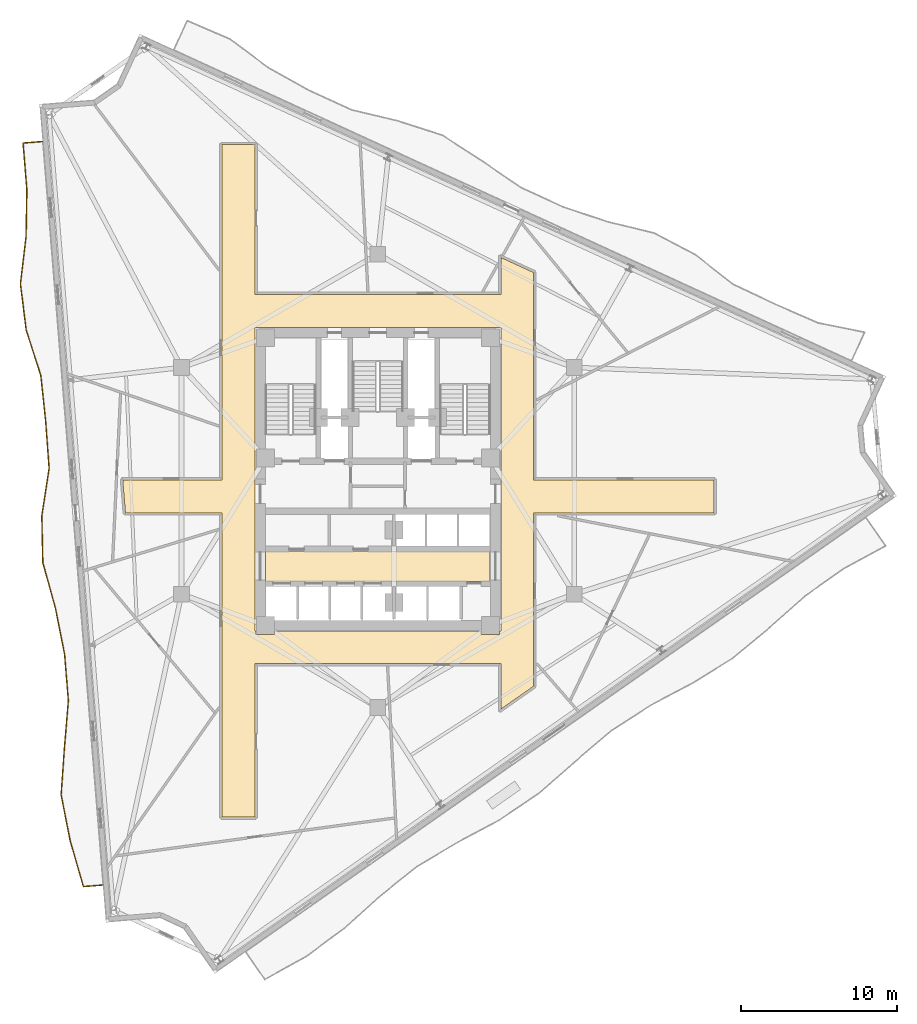
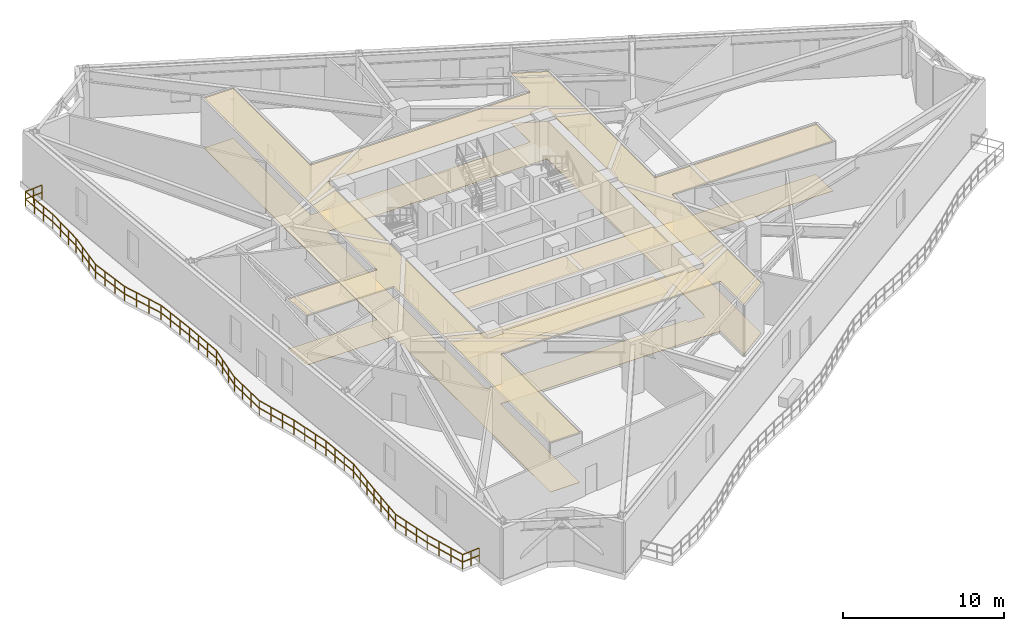
# One storey, part 11 of 14: 4 coverings, 1 railing.
"""IFC4 building model written with IfcOpenShell, lengths in metres."""

from ifc_helpers import new_model, si_unit, direction, frame, origin, origin_2d, place, context, subcontext, project, spatial, polyline, rectangle, outline, extrude, material, layer, layer_set, type_object, element, save


model = new_model("IFC4")

# Units and contexts
model_context = context("Model", 3, precision=1e-05, world=origin(), true_north=direction((0.0, 1.0)))
body_context = subcontext(model_context, "Body", "Model", "MODEL_VIEW")
ifc_project = project(units=[si_unit("LENGTHUNIT", "METRE"), si_unit("AREAUNIT", "SQUARE_METRE"), si_unit("VOLUMEUNIT", "CUBIC_METRE"), si_unit("PLANEANGLEUNIT", "RADIAN"), si_unit("MASSUNIT", "GRAM", prefix="KILO")], contexts=[model_context])

# Site, building, storey
site_placement = place(None, origin())
site = spatial("IfcSite", under=ifc_project, at=site_placement, CompositionType="ELEMENT")
building_placement = place(site_placement, origin())
building = spatial("IfcBuilding", under=site, at=building_placement, Name="Apsidion Concourse Tower", CompositionType="ELEMENT")
storey_placement = place(building_placement, frame((0.0, 0.0, 194.199951171875)))
storey = spatial("IfcBuildingStorey", under=building, at=storey_placement, Name="L45", CompositionType="ELEMENT", Elevation=194.199951171875)

# Coverings
ifc_material_1 = material(Name="Acoustic mineral fibre ceiling")
ifc_layer_1 = layer(ifc_material_1, 0.0400390625)
ifc_layer_set_1 = layer_set([ifc_layer_1], Name="Acoustic mineral fibre ceiling")
covering_type_1 = type_object("IfcCoveringType", Name="COV-CEIL-40", PredefinedType="CEILING", material=ifc_layer_set_1)
covering_1_placement = place(storey_placement, frame((0.0, 0.0, 3.75)))
element("IfcCovering", 1, at=covering_1_placement, inside=storey, type_object=covering_type_1, Name="L45 Acoustic Ceiling Grid 1", PredefinedType="CEILING", context=body_context, shape_type="SweptSolid", body=[
    extrude(outline(polyline([(-7.179931640625, -6.449951171875), (-7.179931640625, -4.47998046875), (7.179931640625, -4.47998046875), (7.179931640625, -6.449951171875), (-7.179931640625, -6.449951171875)])), origin(), (0.0, 0.0, 1.0), 0.0400390625),
])
covering_2_placement = place(storey_placement, frame((0.0, 0.0, 3.75)))
element("IfcCovering", 2, at=covering_2_placement, inside=storey, type_object=covering_type_1, Name="L45 Acoustic Ceiling Grid 2", PredefinedType="CEILING", context=body_context, shape_type="SweptSolid", body=[
    extrude(outline(polyline([(9.969970703125, -13.1357421875), (7.8701171875, -14.606201171875), (7.8701171875, -11.695068359375), (-7.8701171875, -11.695068359375), (-7.8701171875, -21.5), (-9.969970703125, -21.5), (-9.969970703125, -11.695068359375), (-9.969970703125, -2.050048828125), (-16.150634765625, -2.050048828125), (-16.3212890625, 0.050048828125), (-9.969970703125, 0.050048828125), (-9.969970703125, 11.919921875), (-9.969970703125, 21.5), (-7.8701171875, 21.5), (-7.8701171875, 11.919921875), (7.8701171875, 11.919921875), (7.8701171875, 14.282958984375), (9.969970703125, 13.319580078125), (9.969970703125, 11.919921875), (9.969970703125, 0.050048828125), (21.5, 0.050048828125), (21.5, -2.050048828125), (9.969970703125, -2.050048828125), (9.969970703125, -11.695068359375), (9.969970703125, -13.1357421875)]), holes=[polyline([(7.8701171875, -2.050048828125), (7.8701171875, 0.050048828125), (7.8701171875, 9.820068359375), (-7.8701171875, 9.820068359375), (-7.8701171875, 0.050048828125), (-7.8701171875, -2.050048828125), (-7.8701171875, -9.594970703125), (-7.794921875, -9.594970703125), (-7.794921875, -9.824951171875), (-7.794921875, -9.826904296875), (-7.794677734375, -9.828857421875), (-7.794189453125, -9.830810546875), (-7.79345703125, -9.832763671875), (-7.79248046875, -9.83447265625), (-7.79150390625, -9.836181640625), (-7.79052734375, -9.837646484375), (-7.7890625, -9.839111328125), (-7.78759765625, -9.840576171875), (-7.7861328125, -9.841552734375), (-7.784423828125, -9.842529296875), (-7.78271484375, -9.843505859375), (-7.78076171875, -9.843994140625), (-7.77880859375, -9.844482421875), (-7.777099609375, -9.844970703125), (-7.77490234375, -9.844970703125), (-6.625, -9.844970703125), (-6.623046875, -9.844970703125), (-6.62109375, -9.844482421875), (-6.619140625, -9.843994140625), (-6.6171875, -9.843505859375), (-6.615478515625, -9.842529296875), (-6.614013671875, -9.841552734375), (-6.6123046875, -9.840576171875), (-6.61083984375, -9.839111328125), (-6.609619140625, -9.837646484375), (-6.6083984375, -9.836181640625), (-6.607421875, -9.83447265625), (-6.6064453125, -9.832763671875), (-6.60595703125, -9.830810546875), (-6.60546875, -9.828857421875), (-6.60498046875, -9.826904296875), (-6.60498046875, -9.824951171875), (-6.60498046875, -9.594970703125), (6.60498046875, -9.594970703125), (6.60498046875, -9.824951171875), (6.60498046875, -9.826904296875), (6.60546875, -9.828857421875), (6.60595703125, -9.830810546875), (6.6064453125, -9.832763671875), (6.607421875, -9.83447265625), (6.6083984375, -9.836181640625), (6.609619140625, -9.837646484375), (6.61083984375, -9.839111328125), (6.6123046875, -9.840576171875), (6.614013671875, -9.841552734375), (6.615478515625, -9.842529296875), (6.6171875, -9.843505859375), (6.619140625, -9.843994140625), (6.62109375, -9.844482421875), (6.623046875, -9.844970703125), (6.625, -9.844970703125), (7.77490234375, -9.844970703125), (7.777099609375, -9.844970703125), (7.77880859375, -9.844482421875), (7.78076171875, -9.843994140625), (7.78271484375, -9.843505859375), (7.784423828125, -9.842529296875), (7.7861328125, -9.841552734375), (7.78759765625, -9.840576171875), (7.7890625, -9.839111328125), (7.79052734375, -9.837646484375), (7.79150390625, -9.836181640625), (7.79248046875, -9.83447265625), (7.79345703125, -9.832763671875), (7.794189453125, -9.830810546875), (7.794677734375, -9.828857421875), (7.794921875, -9.826904296875), (7.794921875, -9.824951171875), (7.794921875, -9.594970703125), (7.8701171875, -9.594970703125), (7.8701171875, -2.050048828125)])]), origin(), (0.0, 0.0, 1.0), 0.0400390625),
])
ifc_material_2 = material(Name="Honed travertine floor finish", Category="masonry")
ifc_layer_2 = layer(ifc_material_2, 0.02001953125)
ifc_layer_set_2 = layer_set([ifc_layer_2], Name="Honed travertine floor finish")
covering_type_2 = type_object("IfcCoveringType", Name="COV-FLOR-20", PredefinedType="FLOORING", material=ifc_layer_set_2)
covering_3_placement = place(storey_placement, origin())
element("IfcCovering", 3, at=covering_3_placement, inside=storey, type_object=covering_type_2, Name="L45 Honed Travertine Floor Finish 1", PredefinedType="FLOORING", context=body_context, shape_type="SweptSolid", body=[
    extrude(outline(polyline([(-7.179931640625, -6.449951171875), (-7.179931640625, -4.47998046875), (7.179931640625, -4.47998046875), (7.179931640625, -6.449951171875), (-7.179931640625, -6.449951171875)])), origin(), (0.0, 0.0, 1.0), 0.02001953125),
])
covering_4_placement = place(storey_placement, origin())
element("IfcCovering", 4, at=covering_4_placement, inside=storey, type_object=covering_type_2, Name="L45 Honed Travertine Floor Finish 2", PredefinedType="FLOORING", context=body_context, shape_type="SweptSolid", body=[
    extrude(outline(polyline([(9.969970703125, -13.1357421875), (7.8701171875, -14.606201171875), (7.8701171875, -11.695068359375), (-7.8701171875, -11.695068359375), (-7.8701171875, -21.5), (-9.969970703125, -21.5), (-9.969970703125, -11.695068359375), (-9.969970703125, -2.050048828125), (-16.150634765625, -2.050048828125), (-16.3212890625, 0.050048828125), (-9.969970703125, 0.050048828125), (-9.969970703125, 11.919921875), (-9.969970703125, 21.5), (-7.8701171875, 21.5), (-7.8701171875, 11.919921875), (7.8701171875, 11.919921875), (7.8701171875, 14.282958984375), (9.969970703125, 13.319580078125), (9.969970703125, 11.919921875), (9.969970703125, 0.050048828125), (21.5, 0.050048828125), (21.5, -2.050048828125), (9.969970703125, -2.050048828125), (9.969970703125, -11.695068359375), (9.969970703125, -13.1357421875)]), holes=[polyline([(7.8701171875, -2.050048828125), (7.8701171875, 0.050048828125), (7.8701171875, 9.820068359375), (-7.8701171875, 9.820068359375), (-7.8701171875, 0.050048828125), (-7.8701171875, -2.050048828125), (-7.8701171875, -9.594970703125), (-7.794921875, -9.594970703125), (-7.794921875, -9.824951171875), (-7.794921875, -9.826904296875), (-7.794677734375, -9.828857421875), (-7.794189453125, -9.830810546875), (-7.79345703125, -9.832763671875), (-7.79248046875, -9.83447265625), (-7.79150390625, -9.836181640625), (-7.79052734375, -9.837646484375), (-7.7890625, -9.839111328125), (-7.78759765625, -9.840576171875), (-7.7861328125, -9.841552734375), (-7.784423828125, -9.842529296875), (-7.78271484375, -9.843505859375), (-7.78076171875, -9.843994140625), (-7.77880859375, -9.844482421875), (-7.777099609375, -9.844970703125), (-7.77490234375, -9.844970703125), (-6.625, -9.844970703125), (-6.623046875, -9.844970703125), (-6.62109375, -9.844482421875), (-6.619140625, -9.843994140625), (-6.6171875, -9.843505859375), (-6.615478515625, -9.842529296875), (-6.614013671875, -9.841552734375), (-6.6123046875, -9.840576171875), (-6.61083984375, -9.839111328125), (-6.609619140625, -9.837646484375), (-6.6083984375, -9.836181640625), (-6.607421875, -9.83447265625), (-6.6064453125, -9.832763671875), (-6.60595703125, -9.830810546875), (-6.60546875, -9.828857421875), (-6.60498046875, -9.826904296875), (-6.60498046875, -9.824951171875), (-6.60498046875, -9.594970703125), (6.60498046875, -9.594970703125), (6.60498046875, -9.824951171875), (6.60498046875, -9.826904296875), (6.60546875, -9.828857421875), (6.60595703125, -9.830810546875), (6.6064453125, -9.832763671875), (6.607421875, -9.83447265625), (6.6083984375, -9.836181640625), (6.609619140625, -9.837646484375), (6.61083984375, -9.839111328125), (6.6123046875, -9.840576171875), (6.614013671875, -9.841552734375), (6.615478515625, -9.842529296875), (6.6171875, -9.843505859375), (6.619140625, -9.843994140625), (6.62109375, -9.844482421875), (6.623046875, -9.844970703125), (6.625, -9.844970703125), (7.77490234375, -9.844970703125), (7.777099609375, -9.844970703125), (7.77880859375, -9.844482421875), (7.78076171875, -9.843994140625), (7.78271484375, -9.843505859375), (7.784423828125, -9.842529296875), (7.7861328125, -9.841552734375), (7.78759765625, -9.840576171875), (7.7890625, -9.839111328125), (7.79052734375, -9.837646484375), (7.79150390625, -9.836181640625), (7.79248046875, -9.83447265625), (7.79345703125, -9.832763671875), (7.794189453125, -9.830810546875), (7.794677734375, -9.828857421875), (7.794921875, -9.826904296875), (7.794921875, -9.824951171875), (7.794921875, -9.594970703125), (7.8701171875, -9.594970703125), (7.8701171875, -2.050048828125)])]), origin(), (0.0, 0.0, 1.0), 0.02001953125),
])

# Railing
ifc_material_3 = material(Name="Brushed stainless steel 316", Category="steel")
railing_type = type_object("IfcRailingType", Name="RL-BAL-1120", PredefinedType="BALUSTRADE", material=ifc_material_3)
railing_placement = place(storey_placement, frame((-17.59326171875, -25.86328125, 0.0)))
element("IfcRailing", 5, at=railing_placement, inside=storey, type_object=railing_type, Name="L45 Face 1 Rippling Balcony Balustrade", PredefinedType="BALUSTRADE", context=body_context, shape_type="SweptSolid", body=[
    extrude(rectangle(XDim=0.048095703125, YDim=0.048095703125, at=origin_2d()), frame((0.0, 0.0, 1.09619140625), z_axis=(-0.996725219945, -0.08086306899, 0.0), x_axis=(0.08086306899, -0.996725219945, 0.0)), (0.0, 0.0, 1.0), 1.25),
    extrude(rectangle(XDim=0.048095703125, YDim=0.048095703125, at=origin_2d()), frame((0.0, 0.0, 0.5361328125), z_axis=(-0.996725219945, -0.08086306899, 0.0), x_axis=(0.08086306899, -0.996725219945, 0.0)), (0.0, 0.0, 1.0), 1.25),
    extrude(rectangle(XDim=0.048095703125, YDim=0.048095703125, at=origin_2d()), frame((-1.245849609375, -0.10107421875, 1.09619140625), z_axis=(-0.278204119363, 0.960521976828, 0.0), x_axis=(-0.960521976828, -0.278204119363, 0.0)), (0.0, 0.0, 1.0), 3.044189453125),
    extrude(rectangle(XDim=0.048095703125, YDim=0.048095703125, at=origin_2d()), frame((-1.245849609375, -0.10107421875, 0.5361328125), z_axis=(-0.278204119363, 0.960521976828, 0.0), x_axis=(-0.960521976828, -0.278204119363, 0.0)), (0.0, 0.0, 1.0), 3.044189453125),
    extrude(rectangle(XDim=0.048095703125, YDim=0.048095703125, at=origin_2d()), frame((-2.0927734375, 2.822998046875, 1.09619140625), z_axis=(-0.193222079868, 0.981155047814, 0.0), x_axis=(-0.981155047814, -0.193222079868, 0.0)), (0.0, 0.0, 1.0), 3.002197265625),
    extrude(rectangle(XDim=0.048095703125, YDim=0.048095703125, at=origin_2d()), frame((-2.0927734375, 2.822998046875, 0.5361328125), z_axis=(-0.193222079868, 0.981155047814, 0.0), x_axis=(-0.981155047814, -0.193222079868, 0.0)), (0.0, 0.0, 1.0), 3.002197265625),
    extrude(rectangle(XDim=0.048095703125, YDim=0.048095703125, at=origin_2d()), frame((-2.6728515625, 5.7685546875, 1.09619140625), z_axis=(0.069188116845, 0.997603630951, 0.0), x_axis=(-0.997603630951, 0.069188116845, 0.0)), (0.0, 0.0, 1.0), 3.01708984375),
    extrude(rectangle(XDim=0.048095703125, YDim=0.048095703125, at=origin_2d()), frame((-2.6728515625, 5.7685546875, 0.5361328125), z_axis=(0.069188116845, 0.997603630951, 0.0), x_axis=(-0.997603630951, 0.069188116845, 0.0)), (0.0, 0.0, 1.0), 3.01708984375),
    extrude(rectangle(XDim=0.048095703125, YDim=0.048095703125, at=origin_2d()), frame((-2.464111328125, 8.7783203125, 1.09619140625), z_axis=(0.083559940786, 0.996502752779, 0.0), x_axis=(-0.996502752779, 0.083559940786, 0.0)), (0.0, 0.0, 1.0), 3.02392578125),
    extrude(rectangle(XDim=0.048095703125, YDim=0.048095703125, at=origin_2d()), frame((-2.464111328125, 8.7783203125, 0.5361328125), z_axis=(0.083559940786, 0.996502752779, 0.0), x_axis=(-0.996502752779, 0.083559940786, 0.0)), (0.0, 0.0, 1.0), 3.02392578125),
    extrude(rectangle(XDim=0.048095703125, YDim=0.048095703125, at=origin_2d()), frame((-2.21142578125, 11.791748046875, 1.09619140625), z_axis=(-0.080945526608, 0.996718526828, 0.0), x_axis=(-0.996718526828, -0.080945526608, 0.0)), (0.0, 0.0, 1.0), 2.98291015625),
    extrude(rectangle(XDim=0.048095703125, YDim=0.048095703125, at=origin_2d()), frame((-2.21142578125, 11.791748046875, 0.5361328125), z_axis=(-0.080945526608, 0.996718526828, 0.0), x_axis=(-0.996718526828, -0.080945526608, 0.0)), (0.0, 0.0, 1.0), 2.98291015625),
    extrude(rectangle(XDim=0.048095703125, YDim=0.048095703125, at=origin_2d()), frame((-2.452880859375, 14.764892578125, 1.09619140625), z_axis=(-0.194411462754, 0.980920069705, 0.0), x_axis=(-0.980920069705, -0.194411462754, 0.0)), (0.0, 0.0, 1.0), 3.002685546875),
    extrude(rectangle(XDim=0.048095703125, YDim=0.048095703125, at=origin_2d()), frame((-2.452880859375, 14.764892578125, 0.5361328125), z_axis=(-0.194411462754, 0.980920069705, 0.0), x_axis=(-0.980920069705, -0.194411462754, 0.0)), (0.0, 0.0, 1.0), 3.002685546875),
    extrude(rectangle(XDim=0.048095703125, YDim=0.048095703125, at=origin_2d()), frame((-3.03662109375, 17.710205078125, 1.09619140625), z_axis=(-0.266876785774, 0.963730658024, 0.0), x_axis=(-0.963730658024, -0.266876785774, 0.0)), (0.0, 0.0, 1.0), 3.037109375),
    extrude(rectangle(XDim=0.048095703125, YDim=0.048095703125, at=origin_2d()), frame((-3.03662109375, 17.710205078125, 0.5361328125), z_axis=(-0.266876785774, 0.963730658024, 0.0), x_axis=(-0.963730658024, -0.266876785774, 0.0)), (0.0, 0.0, 1.0), 3.037109375),
    extrude(rectangle(XDim=0.048095703125, YDim=0.048095703125, at=origin_2d()), frame((-3.84716796875, 20.63720703125, 1.09619140625), z_axis=(-0.020750556442, 0.999784684023, 0.0), x_axis=(-0.999784684023, -0.020750556442, 0.0)), (0.0, 0.0, 1.0), 2.988525390625),
    extrude(rectangle(XDim=0.048095703125, YDim=0.048095703125, at=origin_2d()), frame((-3.84716796875, 20.63720703125, 0.5361328125), z_axis=(-0.020750556442, 0.999784684023, 0.0), x_axis=(-0.999784684023, -0.020750556442, 0.0)), (0.0, 0.0, 1.0), 2.988525390625),
    extrude(rectangle(XDim=0.048095703125, YDim=0.048095703125, at=origin_2d()), frame((-3.9091796875, 23.625, 1.09619140625), z_axis=(0.152380232053, 0.988321943943, 0.0), x_axis=(-0.988321943943, 0.152380232053, 0.0)), (0.0, 0.0, 1.0), 3.066650390625),
    extrude(rectangle(XDim=0.048095703125, YDim=0.048095703125, at=origin_2d()), frame((-3.9091796875, 23.625, 0.5361328125), z_axis=(0.152380232053, 0.988321943943, 0.0), x_axis=(-0.988321943943, 0.152380232053, 0.0)), (0.0, 0.0, 1.0), 3.066650390625),
    extrude(rectangle(XDim=0.048095703125, YDim=0.048095703125, at=origin_2d()), frame((-3.44189453125, 26.65576171875, 1.09619140625), z_axis=(-0.073084841156, 0.997325727129, 0.0), x_axis=(-0.997325727129, -0.073084841156, 0.0)), (0.0, 0.0, 1.0), 2.983154296875),
    extrude(rectangle(XDim=0.048095703125, YDim=0.048095703125, at=origin_2d()), frame((-3.44189453125, 26.65576171875, 0.5361328125), z_axis=(-0.073084841156, 0.997325727129, 0.0), x_axis=(-0.997325727129, -0.073084841156, 0.0)), (0.0, 0.0, 1.0), 2.983154296875),
    extrude(rectangle(XDim=0.048095703125, YDim=0.048095703125, at=origin_2d()), frame((-3.659912109375, 29.630859375, 1.09619140625), z_axis=(-0.104808294603, 0.994492444105, 0.0), x_axis=(-0.994492444105, -0.104808294603, 0.0)), (0.0, 0.0, 1.0), 2.98388671875),
    extrude(rectangle(XDim=0.048095703125, YDim=0.048095703125, at=origin_2d()), frame((-3.659912109375, 29.630859375, 0.5361328125), z_axis=(-0.104808294603, 0.994492444105, 0.0), x_axis=(-0.994492444105, -0.104808294603, 0.0)), (0.0, 0.0, 1.0), 2.98388671875),
    extrude(rectangle(XDim=0.048095703125, YDim=0.048095703125, at=origin_2d()), frame((-3.97265625, 32.598388671875, 1.09619140625), z_axis=(-0.306530142472, 0.951860951902, 0.0), x_axis=(-0.951860951902, -0.306530142472, 0.0)), (0.0, 0.0, 1.0), 3.06396484375),
    extrude(rectangle(XDim=0.048095703125, YDim=0.048095703125, at=origin_2d()), frame((-3.97265625, 32.598388671875, 0.5361328125), z_axis=(-0.306530142472, 0.951860951902, 0.0), x_axis=(-0.951860951902, -0.306530142472, 0.0)), (0.0, 0.0, 1.0), 3.06396484375),
    extrude(rectangle(XDim=0.048095703125, YDim=0.048095703125, at=origin_2d()), frame((-4.911865234375, 35.514892578125, 1.09619140625), z_axis=(-0.122172551681, 0.992508875334, 0.0), x_axis=(-0.992508875334, -0.122172551681, 0.0)), (0.0, 0.0, 1.0), 2.985595703125),
    extrude(rectangle(XDim=0.048095703125, YDim=0.048095703125, at=origin_2d()), frame((-4.911865234375, 35.514892578125, 0.5361328125), z_axis=(-0.122172551681, 0.992508875334, 0.0), x_axis=(-0.992508875334, -0.122172551681, 0.0)), (0.0, 0.0, 1.0), 2.985595703125),
    extrude(rectangle(XDim=0.048095703125, YDim=0.048095703125, at=origin_2d()), frame((-5.276611328125, 38.47802734375, 1.09619140625), z_axis=(0.11848407992, 0.992955952097, 0.0), x_axis=(-0.992955952097, 0.11848407992, 0.0)), (0.0, 0.0, 1.0), 3.04345703125),
    extrude(rectangle(XDim=0.048095703125, YDim=0.048095703125, at=origin_2d()), frame((-5.276611328125, 38.47802734375, 0.5361328125), z_axis=(0.11848407992, 0.992955952097, 0.0), x_axis=(-0.992955952097, 0.11848407992, 0.0)), (0.0, 0.0, 1.0), 3.04345703125),
    extrude(rectangle(XDim=0.048095703125, YDim=0.048095703125, at=origin_2d()), frame((-4.916015625, 41.5, 1.09619140625), z_axis=(0.01637255056, 0.999865960811, 0.0), x_axis=(-0.999865960811, 0.01637255056, 0.0)), (0.0, 0.0, 1.0), 2.997314453125),
    extrude(rectangle(XDim=0.048095703125, YDim=0.048095703125, at=origin_2d()), frame((-4.916015625, 41.5, 0.5361328125), z_axis=(0.01637255056, 0.999865960811, 0.0), x_axis=(-0.999865960811, 0.01637255056, 0.0)), (0.0, 0.0, 1.0), 2.997314453125),
    extrude(rectangle(XDim=0.048095703125, YDim=0.048095703125, at=origin_2d()), frame((-4.866943359375, 44.496826171875, 1.09619140625), z_axis=(-0.080945526608, 0.996718526828, 0.0), x_axis=(-0.996718526828, -0.080945526608, 0.0)), (0.0, 0.0, 1.0), 2.98291015625),
    extrude(rectangle(XDim=0.048095703125, YDim=0.048095703125, at=origin_2d()), frame((-4.866943359375, 44.496826171875, 0.5361328125), z_axis=(-0.080945526608, 0.996718526828, 0.0), x_axis=(-0.996718526828, -0.080945526608, 0.0)), (0.0, 0.0, 1.0), 2.98291015625),
    extrude(rectangle(XDim=0.048095703125, YDim=0.048095703125, at=origin_2d()), frame((-5.1083984375, 47.469970703125, 1.09619140625), z_axis=(0.996709458739, 0.081057108637, 0.0), x_axis=(-0.081057108637, 0.996709458739, 0.0)), (0.0, 0.0, 1.0), 1.25),
    extrude(rectangle(XDim=0.048095703125, YDim=0.048095703125, at=origin_2d()), frame((-5.1083984375, 47.469970703125, 0.5361328125), z_axis=(0.996709458739, 0.081057108637, 0.0), x_axis=(-0.081057108637, 0.996709458739, 0.0)), (0.0, 0.0, 1.0), 1.25),
    extrude(rectangle(XDim=0.0419921875, YDim=0.0419921875, at=origin_2d()), origin(), (0.0, 0.0, 1.0), 1.072021484375),
    extrude(rectangle(XDim=0.0419921875, YDim=0.0419921875, at=origin_2d()), frame((-0.623046875, -0.050537109375, 0.0)), (0.0, 0.0, 1.0), 1.072021484375),
    extrude(rectangle(XDim=0.0419921875, YDim=0.0419921875, at=origin_2d()), frame((-1.245849609375, -0.10107421875, 0.0)), (0.0, 0.0, 1.0), 1.072021484375),
    extrude(rectangle(XDim=0.0419921875, YDim=0.0419921875, at=origin_2d()), frame((-1.528076171875, 0.87353515625, 0.0)), (0.0, 0.0, 1.0), 1.072021484375),
    extrude(rectangle(XDim=0.0419921875, YDim=0.0419921875, at=origin_2d()), frame((-1.810546875, 1.848388671875, 0.0)), (0.0, 0.0, 1.0), 1.072021484375),
    extrude(rectangle(XDim=0.0419921875, YDim=0.0419921875, at=origin_2d()), frame((-2.0927734375, 2.822998046875, 0.0)), (0.0, 0.0, 1.0), 1.072021484375),
    extrude(rectangle(XDim=0.0419921875, YDim=0.0419921875, at=origin_2d()), frame((-2.2861328125, 3.804931640625, 0.0)), (0.0, 0.0, 1.0), 1.072021484375),
    extrude(rectangle(XDim=0.0419921875, YDim=0.0419921875, at=origin_2d()), frame((-2.4794921875, 4.78662109375, 0.0)), (0.0, 0.0, 1.0), 1.072021484375),
    extrude(rectangle(XDim=0.0419921875, YDim=0.0419921875, at=origin_2d()), frame((-2.6728515625, 5.7685546875, 0.0)), (0.0, 0.0, 1.0), 1.072021484375),
    extrude(rectangle(XDim=0.0419921875, YDim=0.0419921875, at=origin_2d()), frame((-2.603271484375, 6.771728515625, 0.0)), (0.0, 0.0, 1.0), 1.072021484375),
    extrude(rectangle(XDim=0.0419921875, YDim=0.0419921875, at=origin_2d()), frame((-2.53369140625, 7.775146484375, 0.0)), (0.0, 0.0, 1.0), 1.072021484375),
    extrude(rectangle(XDim=0.0419921875, YDim=0.0419921875, at=origin_2d()), frame((-2.464111328125, 8.7783203125, 0.0)), (0.0, 0.0, 1.0), 1.072021484375),
    extrude(rectangle(XDim=0.0419921875, YDim=0.0419921875, at=origin_2d()), frame((-2.3798828125, 9.78271484375, 0.0)), (0.0, 0.0, 1.0), 1.072021484375),
    extrude(rectangle(XDim=0.0419921875, YDim=0.0419921875, at=origin_2d()), frame((-2.295654296875, 10.787353515625, 0.0)), (0.0, 0.0, 1.0), 1.072021484375),
    extrude(rectangle(XDim=0.0419921875, YDim=0.0419921875, at=origin_2d()), frame((-2.21142578125, 11.791748046875, 0.0)), (0.0, 0.0, 1.0), 1.072021484375),
    extrude(rectangle(XDim=0.0419921875, YDim=0.0419921875, at=origin_2d()), frame((-2.2919921875, 12.78271484375, 0.0)), (0.0, 0.0, 1.0), 1.072021484375),
    extrude(rectangle(XDim=0.0419921875, YDim=0.0419921875, at=origin_2d()), frame((-2.372314453125, 13.77392578125, 0.0)), (0.0, 0.0, 1.0), 1.072021484375),
    extrude(rectangle(XDim=0.0419921875, YDim=0.0419921875, at=origin_2d()), frame((-2.452880859375, 14.764892578125, 0.0)), (0.0, 0.0, 1.0), 1.072021484375),
    extrude(rectangle(XDim=0.0419921875, YDim=0.0419921875, at=origin_2d()), frame((-2.6474609375, 15.74658203125, 0.0)), (0.0, 0.0, 1.0), 1.072021484375),
    extrude(rectangle(XDim=0.0419921875, YDim=0.0419921875, at=origin_2d()), frame((-2.842041015625, 16.728515625, 0.0)), (0.0, 0.0, 1.0), 1.072021484375),
    extrude(rectangle(XDim=0.0419921875, YDim=0.0419921875, at=origin_2d()), frame((-3.03662109375, 17.710205078125, 0.0)), (0.0, 0.0, 1.0), 1.072021484375),
    extrude(rectangle(XDim=0.0419921875, YDim=0.0419921875, at=origin_2d()), frame((-3.306884765625, 18.685791015625, 0.0)), (0.0, 0.0, 1.0), 1.072021484375),
    extrude(rectangle(XDim=0.0419921875, YDim=0.0419921875, at=origin_2d()), frame((-3.576904296875, 19.66162109375, 0.0)), (0.0, 0.0, 1.0), 1.072021484375),
    extrude(rectangle(XDim=0.0419921875, YDim=0.0419921875, at=origin_2d()), frame((-3.84716796875, 20.63720703125, 0.0)), (0.0, 0.0, 1.0), 1.072021484375),
    extrude(rectangle(XDim=0.0419921875, YDim=0.0419921875, at=origin_2d()), frame((-3.867919921875, 21.633056640625, 0.0)), (0.0, 0.0, 1.0), 1.072021484375),
    extrude(rectangle(XDim=0.0419921875, YDim=0.0419921875, at=origin_2d()), frame((-3.888427734375, 22.629150390625, 0.0)), (0.0, 0.0, 1.0), 1.072021484375),
    extrude(rectangle(XDim=0.0419921875, YDim=0.0419921875, at=origin_2d()), frame((-3.9091796875, 23.625, 0.0)), (0.0, 0.0, 1.0), 1.072021484375),
    extrude(rectangle(XDim=0.0419921875, YDim=0.0419921875, at=origin_2d()), frame((-3.75341796875, 24.63525390625, 0.0)), (0.0, 0.0, 1.0), 1.072021484375),
    extrude(rectangle(XDim=0.0419921875, YDim=0.0419921875, at=origin_2d()), frame((-3.59765625, 25.6455078125, 0.0)), (0.0, 0.0, 1.0), 1.072021484375),
    extrude(rectangle(XDim=0.0419921875, YDim=0.0419921875, at=origin_2d()), frame((-3.44189453125, 26.65576171875, 0.0)), (0.0, 0.0, 1.0), 1.072021484375),
    extrude(rectangle(XDim=0.0419921875, YDim=0.0419921875, at=origin_2d()), frame((-3.5146484375, 27.6474609375, 0.0)), (0.0, 0.0, 1.0), 1.072021484375),
    extrude(rectangle(XDim=0.0419921875, YDim=0.0419921875, at=origin_2d()), frame((-3.587158203125, 28.63916015625, 0.0)), (0.0, 0.0, 1.0), 1.072021484375),
    extrude(rectangle(XDim=0.0419921875, YDim=0.0419921875, at=origin_2d()), frame((-3.659912109375, 29.630859375, 0.0)), (0.0, 0.0, 1.0), 1.072021484375),
    extrude(rectangle(XDim=0.0419921875, YDim=0.0419921875, at=origin_2d()), frame((-3.76416015625, 30.6201171875, 0.0)), (0.0, 0.0, 1.0), 1.072021484375),
    extrude(rectangle(XDim=0.0419921875, YDim=0.0419921875, at=origin_2d()), frame((-3.868408203125, 31.609130859375, 0.0)), (0.0, 0.0, 1.0), 1.072021484375),
    extrude(rectangle(XDim=0.0419921875, YDim=0.0419921875, at=origin_2d()), frame((-3.97265625, 32.598388671875, 0.0)), (0.0, 0.0, 1.0), 1.072021484375),
    extrude(rectangle(XDim=0.0419921875, YDim=0.0419921875, at=origin_2d()), frame((-4.28564453125, 33.570556640625, 0.0)), (0.0, 0.0, 1.0), 1.072021484375),
    extrude(rectangle(XDim=0.0419921875, YDim=0.0419921875, at=origin_2d()), frame((-4.598876953125, 34.542724609375, 0.0)), (0.0, 0.0, 1.0), 1.072021484375),
    extrude(rectangle(XDim=0.0419921875, YDim=0.0419921875, at=origin_2d()), frame((-4.911865234375, 35.514892578125, 0.0)), (0.0, 0.0, 1.0), 1.072021484375),
    extrude(rectangle(XDim=0.0419921875, YDim=0.0419921875, at=origin_2d()), frame((-5.033447265625, 36.502685546875, 0.0)), (0.0, 0.0, 1.0), 1.072021484375),
    extrude(rectangle(XDim=0.0419921875, YDim=0.0419921875, at=origin_2d()), frame((-5.155029296875, 37.490234375, 0.0)), (0.0, 0.0, 1.0), 1.072021484375),
    extrude(rectangle(XDim=0.0419921875, YDim=0.0419921875, at=origin_2d()), frame((-5.276611328125, 38.47802734375, 0.0)), (0.0, 0.0, 1.0), 1.072021484375),
    extrude(rectangle(XDim=0.0419921875, YDim=0.0419921875, at=origin_2d()), frame((-5.156494140625, 39.4853515625, 0.0)), (0.0, 0.0, 1.0), 1.072021484375),
    extrude(rectangle(XDim=0.0419921875, YDim=0.0419921875, at=origin_2d()), frame((-5.0361328125, 40.49267578125, 0.0)), (0.0, 0.0, 1.0), 1.072021484375),
    extrude(rectangle(XDim=0.0419921875, YDim=0.0419921875, at=origin_2d()), frame((-4.916015625, 41.5, 0.0)), (0.0, 0.0, 1.0), 1.072021484375),
    extrude(rectangle(XDim=0.0419921875, YDim=0.0419921875, at=origin_2d()), frame((-4.899658203125, 42.4990234375, 0.0)), (0.0, 0.0, 1.0), 1.072021484375),
    extrude(rectangle(XDim=0.0419921875, YDim=0.0419921875, at=origin_2d()), frame((-4.88330078125, 43.497802734375, 0.0)), (0.0, 0.0, 1.0), 1.072021484375),
    extrude(rectangle(XDim=0.0419921875, YDim=0.0419921875, at=origin_2d()), frame((-4.866943359375, 44.496826171875, 0.0)), (0.0, 0.0, 1.0), 1.072021484375),
    extrude(rectangle(XDim=0.0419921875, YDim=0.0419921875, at=origin_2d()), frame((-4.947509765625, 45.48779296875, 0.0)), (0.0, 0.0, 1.0), 1.072021484375),
    extrude(rectangle(XDim=0.0419921875, YDim=0.0419921875, at=origin_2d()), frame((-5.02783203125, 46.47900390625, 0.0)), (0.0, 0.0, 1.0), 1.072021484375),
    extrude(rectangle(XDim=0.0419921875, YDim=0.0419921875, at=origin_2d()), frame((-5.1083984375, 47.469970703125, 0.0)), (0.0, 0.0, 1.0), 1.072021484375),
    extrude(rectangle(XDim=0.0419921875, YDim=0.0419921875, at=origin_2d()), frame((-4.4853515625, 47.5205078125, 0.0)), (0.0, 0.0, 1.0), 1.072021484375),
    extrude(rectangle(XDim=0.0419921875, YDim=0.0419921875, at=origin_2d()), frame((-3.862548828125, 47.5712890625, 0.0)), (0.0, 0.0, 1.0), 1.072021484375),
])

save(model, "model.ifc")
